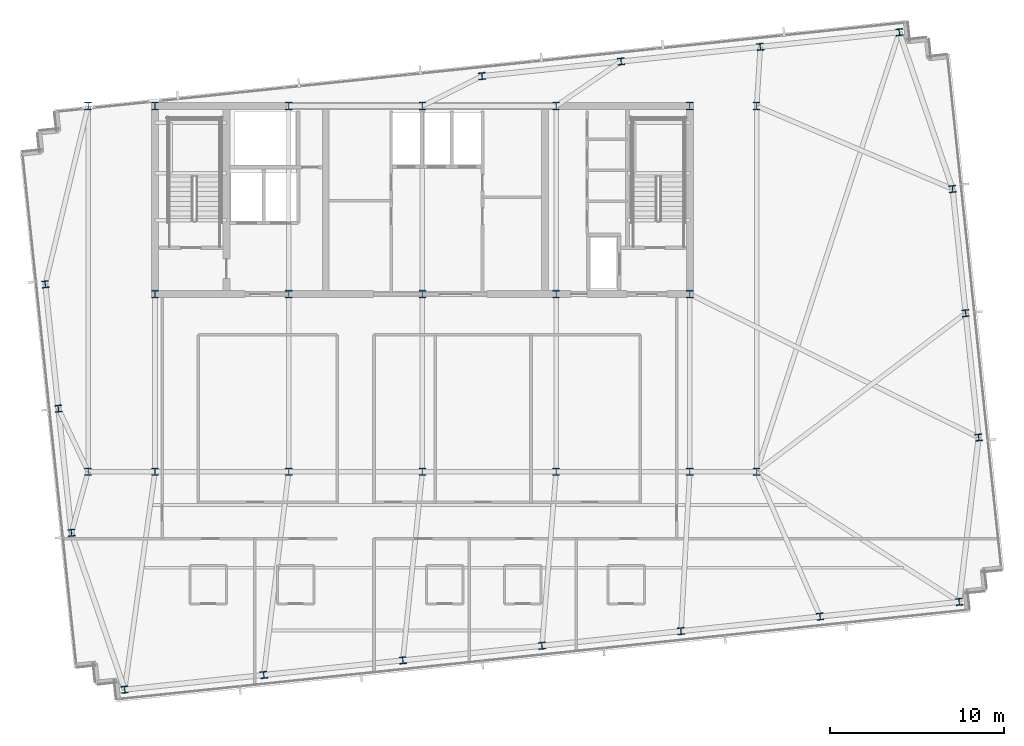
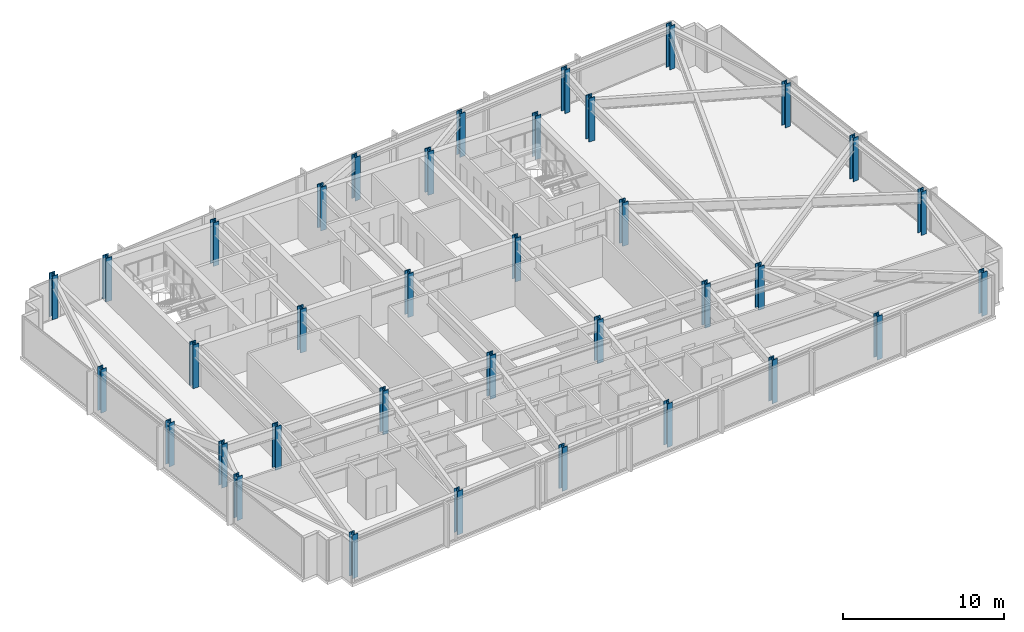
# One storey, part 1 of 33: 36 columns.
"""IFC4 building model written with IfcOpenShell, lengths in metres."""

from ifc_helpers import new_model, si_unit, direction, frame, origin, origin_2d, place, context, subcontext, project, spatial, i_section, extrude, material, material_profile, profile_set, type_object, element, save


model = new_model("IFC4")

# Units and contexts
model_context = context("Model", 3, precision=1e-05, world=origin(), true_north=direction((0.0, 1.0)))
body_context = subcontext(model_context, "Body", "Model", "MODEL_VIEW")
ifc_project = project(units=[si_unit("LENGTHUNIT", "METRE"), si_unit("AREAUNIT", "SQUARE_METRE"), si_unit("VOLUMEUNIT", "CUBIC_METRE"), si_unit("PLANEANGLEUNIT", "RADIAN"), si_unit("MASSUNIT", "GRAM", prefix="KILO")], contexts=[model_context])

# Site, building, storey
site_placement = place(None, origin())
site = spatial("IfcSite", under=ifc_project, at=site_placement, CompositionType="ELEMENT")
building_placement = place(site_placement, origin())
building = spatial("IfcBuilding", under=site, at=building_placement, Name="Yelkora Congress Tower", CompositionType="ELEMENT")
storey_placement = place(building_placement, frame((0.0, 0.0, 234.199951171875)))
storey = spatial("IfcBuildingStorey", under=building, at=storey_placement, Name="L65", CompositionType="ELEMENT", Elevation=234.199951171875)

# Columns
ifc_material_1 = material(Name="Steel S355J2", Category="steel")
ifc_material_profile_1 = material_profile(ifc_material_1, i_section(OverallWidth=0.40087890625, OverallDepth=0.39892578125, WebThickness=0.02490234375, FlangeThickness=0.03955078125, FilletRadius=0.014892578125, at=origin_2d()), Name="HD 400x314")
ifc_profile_set_1 = profile_set([ifc_material_profile_1], Name="Steel S355J2")
column_type_1 = type_object("IfcColumnType", Name="COL-HD-314-EXT", PredefinedType="COLUMN", material=ifc_profile_set_1)
for number, where, z_axis, x_axis, name in (
    (1, (21.299072265625, 12.678466796875, 0.0), (0.0, 0.0, 1.0), (0.994521895368, 0.104528463268, 0.0), "L65 Perimeter Column S01"),
    (2, (29.288330078125, 13.518310546875, 0.0), (0.0, 0.0, 1.0), (0.994521895368, 0.104528463268, 0.0), "L65 Perimeter Column S02"),
    (3, (37.277587890625, 14.35791015625, 0.0), (0.0, 0.0, 1.0), (0.994521895368, 0.104528463268, 0.0), "L65 Perimeter Column S03"),
    (4, (45.26708984375, 15.197509765625, 0.0), (0.0, 0.0, 1.0), (0.994521895368, 0.104528463268, 0.0), "L65 Perimeter Column S04"),
    (5, (53.25634765625, 16.037353515625, 0.0), (0.0, 0.0, 1.0), (0.994521895368, 0.104528463268, 0.0), "L65 Perimeter Column S05"),
    (6, (61.24560546875, 16.877197265625, 0.0), (0.0, 0.0, 1.0), (0.994521895368, 0.104528463268, 0.0), "L65 Perimeter Column S06"),
    (7, (69.235107421875, 17.716796875, 0.0), (0.0, 0.0, 1.0), (0.994521895368, 0.104528463268, 0.0), "L65 Perimeter Column S07"),
    (8, (41.828125, 47.91748046875, 0.0), (0.0, 0.0, 1.0), (0.994521895368, 0.104528463268, 0.0), "L65 Perimeter Column N04"),
    (9, (49.8173828125, 48.757080078125, 0.0), (0.0, 0.0, 1.0), (0.994521895368, 0.104528463268, 0.0), "L65 Perimeter Column N05"),
    (10, (57.806640625, 49.5966796875, 0.0), (0.0, 0.0, 1.0), (0.994521895368, 0.104528463268, 0.0), "L65 Perimeter Column N06"),
    (11, (65.7958984375, 50.4365234375, 0.0), (0.0, 0.0, 1.0), (0.994521895368, 0.104528463268, 0.0), "L65 Perimeter Column N07"),
    (12, (18.2412109375, 21.68310546875, 0.0), (0.0, 0.0, 1.0), (0.994521895368, 0.104528463268, 0.0), "L65 Perimeter Column W01"),
    (13, (70.35400390625, 27.160400390625, 0.0), (0.0, 0.0, 1.0), (0.994521895368, 0.104528463268, 0.0), "L65 Perimeter Column E01"),
    (14, (17.4912109375, 28.81884765625, 0.0), (0.0, 0.0, 1.0), (0.994521895368, 0.104528463268, 0.0), "L65 Perimeter Column W02"),
    (15, (69.60400390625, 34.296142578125, 0.0), (0.0, 0.0, 1.0), (0.994521895368, 0.104528463268, 0.0), "L65 Perimeter Column E02"),
    (16, (16.7412109375, 35.95458984375, 0.0), (0.0, 0.0, 1.0), (0.994521895368, 0.104528463268, 0.0), "L65 Perimeter Column W03"),
    (17, (68.85400390625, 41.431884765625, 0.0), (0.0, 0.0, 1.0), (0.994521895368, 0.104528463268, 0.0), "L65 Perimeter Column E03"),
):
    element("IfcColumn", number, at=place(storey_placement, frame(where, z_axis=z_axis, x_axis=x_axis)), inside=storey, type_object=column_type_1, Name=name, PredefinedType="COLUMN", context=body_context, shape_type="SweptSolid", body=[
        extrude(i_section(OverallWidth=0.40087890625, OverallDepth=0.39892578125, WebThickness=0.02490234375, FlangeThickness=0.03955078125, FilletRadius=0.014892578125, at=origin_2d()), origin(), (0.0, 0.0, 1.0), 3.300048828125),
    ])
ifc_material_2 = material(Name="Steel S460M", Category="steel")
ifc_material_profile_2 = material_profile(ifc_material_2, i_section(OverallWidth=0.412109375, OverallDepth=0.43505859375, WebThickness=0.035888671875, FlangeThickness=0.05810546875, FilletRadius=0.014892578125, at=origin_2d()), Name="HD 400x463")
ifc_profile_set_2 = profile_set([ifc_material_profile_2], Name="Steel S460M")
column_type_2 = type_object("IfcColumnType", Name="COL-HD-463", PredefinedType="COLUMN", material=ifc_profile_set_2)
for number, where, z_axis, x_axis, name in (
    (18, (23.0400390625, 35.39990234375, 0.0), (0.0, 0.0, 1.0), (1.0, 0.0, 0.0), "L65 Mega Column MC-S1"),
    (19, (23.0400390625, 46.199951171875, 0.0), (0.0, 0.0, 1.0), (1.0, 0.0, 0.0), "L65 Mega Column MC-N1"),
    (20, (23.0400390625, 25.199951171875, 0.0), (0.0, 0.0, 1.0), (1.0, 0.0, 0.0), "L65 Mega Column MC-D1"),
    (21, (30.719970703125, 35.39990234375, 0.0), (0.0, 0.0, 1.0), (1.0, 0.0, 0.0), "L65 Mega Column MC-S2"),
    (22, (30.719970703125, 46.199951171875, 0.0), (0.0, 0.0, 1.0), (1.0, 0.0, 0.0), "L65 Mega Column MC-N2"),
    (23, (30.719970703125, 25.199951171875, 0.0), (0.0, 0.0, 1.0), (1.0, 0.0, 0.0), "L65 Mega Column MC-D2"),
    (24, (38.39990234375, 35.39990234375, 0.0), (0.0, 0.0, 1.0), (1.0, 0.0, 0.0), "L65 Mega Column MC-S3"),
    (25, (38.39990234375, 46.199951171875, 0.0), (0.0, 0.0, 1.0), (1.0, 0.0, 0.0), "L65 Mega Column MC-N3"),
    (26, (38.39990234375, 25.199951171875, 0.0), (0.0, 0.0, 1.0), (1.0, 0.0, 0.0), "L65 Mega Column MC-D3"),
    (27, (46.080078125, 35.39990234375, 0.0), (0.0, 0.0, 1.0), (1.0, 0.0, 0.0), "L65 Mega Column MC-S4"),
    (28, (46.080078125, 46.199951171875, 0.0), (0.0, 0.0, 1.0), (1.0, 0.0, 0.0), "L65 Mega Column MC-N4"),
    (29, (46.080078125, 25.199951171875, 0.0), (0.0, 0.0, 1.0), (1.0, 0.0, 0.0), "L65 Mega Column MC-D4"),
    (30, (53.760009765625, 35.39990234375, 0.0), (0.0, 0.0, 1.0), (1.0, 0.0, 0.0), "L65 Mega Column MC-S5"),
    (31, (53.760009765625, 46.199951171875, 0.0), (0.0, 0.0, 1.0), (1.0, 0.0, 0.0), "L65 Mega Column MC-N5"),
    (32, (53.760009765625, 25.199951171875, 0.0), (0.0, 0.0, 1.0), (1.0, 0.0, 0.0), "L65 Mega Column MC-D5"),
    (33, (19.199951171875, 25.199951171875, 0.0), (0.0, 0.0, 1.0), (1.0, 0.0, 0.0), "L65 Mega Column MC-F1"),
    (34, (57.60009765625, 25.199951171875, 0.0), (0.0, 0.0, 1.0), (1.0, 0.0, 0.0), "L65 Mega Column MC-F2"),
    (35, (19.199951171875, 46.199951171875, 0.0), (0.0, 0.0, 1.0), (1.0, 0.0, 0.0), "L65 Mega Column MC-F3"),
    (36, (57.60009765625, 46.199951171875, 0.0), (0.0, 0.0, 1.0), (1.0, 0.0, 0.0), "L65 Mega Column MC-F4"),
):
    element("IfcColumn", number, at=place(storey_placement, frame(where, z_axis=z_axis, x_axis=x_axis)), inside=storey, type_object=column_type_2, Name=name, PredefinedType="COLUMN", context=body_context, shape_type="SweptSolid", body=[
        extrude(i_section(OverallWidth=0.412109375, OverallDepth=0.43505859375, WebThickness=0.035888671875, FlangeThickness=0.05810546875, FilletRadius=0.014892578125, at=origin_2d()), origin(), (0.0, 0.0, 1.0), 3.300048828125),
    ])

save(model, "model.ifc")
